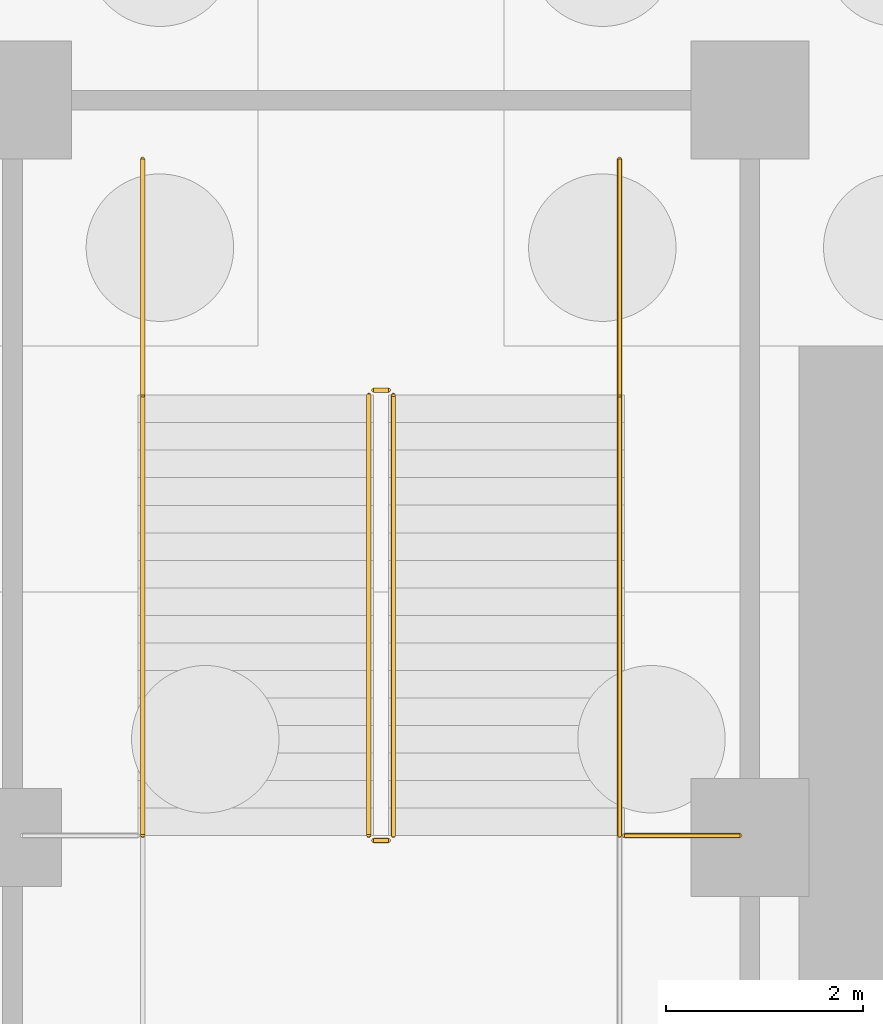
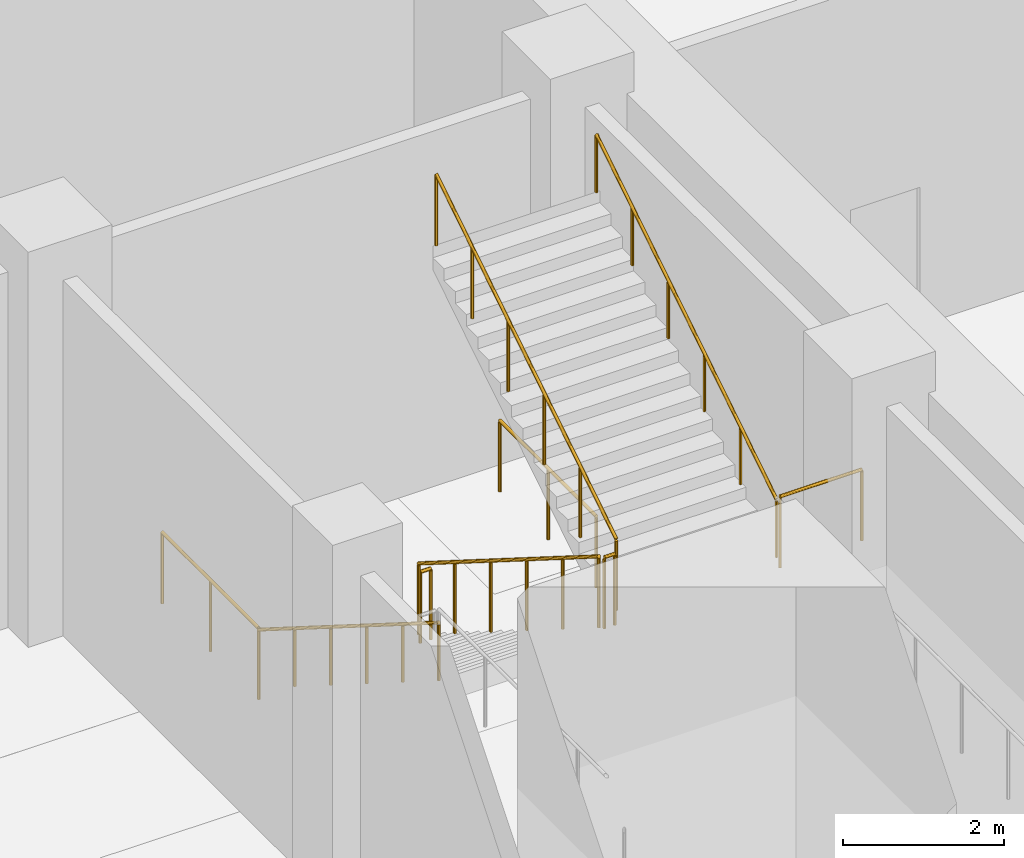
# One storey, part 35 of 39: 9 railings.
"""IFC4 building model written with IfcOpenShell, lengths in metres."""

from ifc_helpers import new_model, si_unit, direction, frame, origin, origin_2d, place, context, subcontext, project, spatial, circle, extrude, material, type_object, element, save


model = new_model("IFC4")

# Units and contexts
model_context = context("Model", 3, precision=1e-05, world=origin(), true_north=direction((0.0, 1.0)))
body_context = subcontext(model_context, "Body", "Model", "MODEL_VIEW")
ifc_project = project(units=[si_unit("LENGTHUNIT", "METRE"), si_unit("AREAUNIT", "SQUARE_METRE"), si_unit("VOLUMEUNIT", "CUBIC_METRE"), si_unit("PLANEANGLEUNIT", "RADIAN"), si_unit("MASSUNIT", "GRAM", prefix="KILO")], contexts=[model_context])

# Site, building, storey
site_placement = place(None, origin())
site = spatial("IfcSite", under=ifc_project, at=site_placement, CompositionType="ELEMENT")
building_placement = place(site_placement, origin())
building = spatial("IfcBuilding", under=site, at=building_placement, Name="Tamorin Gate", CompositionType="ELEMENT")
storey_placement = place(building_placement, frame((0.0, 0.0, -12.0)))
storey = spatial("IfcBuildingStorey", under=building, at=storey_placement, Name="B2", CompositionType="ELEMENT", Elevation=-12.0)

# Railings
ifc_material = material(Name="Steel", Category="steel")
railing_type_1 = type_object("IfcRailingType", Name="Podium guard 1100", PredefinedType="GUARDRAIL", material=ifc_material)
railing_1_placement = place(storey_placement, frame((85.625, 109.0, 0.176513671875)))
element("IfcRailing", 1, at=railing_1_placement, inside=storey, type_object=railing_type_1, Name="B2 SB5 stair guard 1", PredefinedType="GUARDRAIL", context=body_context, shape_type="SweptSolid", body=[
    extrude(circle(Radius=0.02392578125, at=origin_2d()), frame((0.0, 0.0, 1.076171875), z_axis=(0.0, -0.845997938375, 0.533186166611), x_axis=(1.0, 0.0, 0.0)), (0.0, 0.0, 1.0), 5.29541015625),
    extrude(circle(Radius=0.02099609375, at=origin_2d()), origin(), (0.0, 0.0, 1.0), 1.052001953125),
    extrude(circle(Radius=0.02099609375, at=origin_2d()), frame((0.0, -0.89599609375, 0.564697265625)), (0.0, 0.0, 1.0), 1.052001953125),
    extrude(circle(Radius=0.02099609375, at=origin_2d()), frame((0.0, -1.7919921875, 1.12939453125)), (0.0, 0.0, 1.0), 1.052001953125),
    extrude(circle(Radius=0.02099609375, at=origin_2d()), frame((0.0, -2.68798828125, 1.694091796875)), (0.0, 0.0, 1.0), 1.052001953125),
    extrude(circle(Radius=0.02099609375, at=origin_2d()), frame((0.0, -3.583984375, 2.2587890625)), (0.0, 0.0, 1.0), 1.052001953125),
    extrude(circle(Radius=0.02099609375, at=origin_2d()), frame((0.0, -4.47998046875, 2.823486328125)), (0.0, 0.0, 1.0), 1.052001953125),
])
railing_2_placement = place(storey_placement, frame((85.675048828125, 104.469970703125, 3.0)))
element("IfcRailing", 2, at=railing_2_placement, inside=storey, type_object=railing_type_1, Name="B2 SB5 stair guard 2", PredefinedType="GUARDRAIL", context=body_context, shape_type="SweptSolid", body=[
    extrude(circle(Radius=0.02392578125, at=origin_2d()), frame((0.0, 0.0, 1.076171875), z_axis=(1.0, 0.0, 0.0), x_axis=(0.0, 1.0, 0.0)), (0.0, 0.0, 1.0), 0.14990234375),
    extrude(circle(Radius=0.02099609375, at=origin_2d()), origin(), (0.0, 0.0, 1.0), 1.052001953125),
    extrude(circle(Radius=0.02099609375, at=origin_2d()), frame((0.14990234375, 0.0, 0.0)), (0.0, 0.0, 1.0), 1.052001953125),
])
railing_3_placement = place(storey_placement, frame((85.875, 104.52001953125, 3.176513671875)))
element("IfcRailing", 3, at=railing_3_placement, inside=storey, type_object=railing_type_1, Name="B2 SB5 stair guard 6", PredefinedType="GUARDRAIL", context=body_context, shape_type="SweptSolid", body=[
    extrude(circle(Radius=0.02392578125, at=origin_2d()), frame((0.0, 0.0, 1.076171875), z_axis=(0.0, 0.845997938375, 0.533186166611), x_axis=(-1.0, 0.0, 0.0)), (0.0, 0.0, 1.0), 5.29541015625),
    extrude(circle(Radius=0.02099609375, at=origin_2d()), origin(), (0.0, 0.0, 1.0), 1.052001953125),
    extrude(circle(Radius=0.02099609375, at=origin_2d()), frame((0.0, 0.89599609375, 0.564697265625)), (0.0, 0.0, 1.0), 1.052001953125),
    extrude(circle(Radius=0.02099609375, at=origin_2d()), frame((0.0, 1.7919921875, 1.12939453125)), (0.0, 0.0, 1.0), 1.052001953125),
    extrude(circle(Radius=0.02099609375, at=origin_2d()), frame((0.0, 2.68798828125, 1.694091796875)), (0.0, 0.0, 1.0), 1.052001953125),
    extrude(circle(Radius=0.02099609375, at=origin_2d()), frame((0.0, 3.583984375, 2.2587890625)), (0.0, 0.0, 1.0), 1.052001953125),
    extrude(circle(Radius=0.02099609375, at=origin_2d()), frame((0.0, 4.47998046875, 2.823486328125)), (0.0, 0.0, 1.0), 1.052001953125),
])
railing_4_placement = place(storey_placement, frame((85.675048828125, 109.050048828125, 0.0)))
element("IfcRailing", 4, at=railing_4_placement, inside=storey, type_object=railing_type_1, Name="B2 SB5 stair guard 7", PredefinedType="GUARDRAIL", context=body_context, shape_type="SweptSolid", body=[
    extrude(circle(Radius=0.02392578125, at=origin_2d()), frame((0.0, 0.0, 1.076171875), z_axis=(1.0, 0.0, 0.0), x_axis=(0.0, 1.0, 0.0)), (0.0, 0.0, 1.0), 0.14990234375),
    extrude(circle(Radius=0.02099609375, at=origin_2d()), origin(), (0.0, 0.0, 1.0), 1.052001953125),
    extrude(circle(Radius=0.02099609375, at=origin_2d()), frame((0.14990234375, 0.0, 0.0)), (0.0, 0.0, 1.0), 1.052001953125),
])
for number, where, name in (
    (5, (83.324951171875, 111.39990234375, 0.0), "B2 SB5 stair guard 8"),
    (6, (88.175048828125, 111.39990234375, 0.0), "B2 SB5 stair guard 9"),
):
    element("IfcRailing", number, at=place(storey_placement, frame(where)), inside=storey, type_object=railing_type_1, Name=name, PredefinedType="GUARDRAIL", context=body_context, shape_type="SweptSolid", body=[
        extrude(circle(Radius=0.02392578125, at=origin_2d()), frame((0.0, 0.0, 1.076171875), z_axis=(0.0, -1.0, 0.0), x_axis=(1.0, 0.0, 0.0)), (0.0, 0.0, 1.0), 2.39990234375),
        extrude(circle(Radius=0.02099609375, at=origin_2d()), origin(), (0.0, 0.0, 1.0), 1.052001953125),
        extrude(circle(Radius=0.02099609375, at=origin_2d()), frame((0.0, -1.199951171875, 0.0)), (0.0, 0.0, 1.0), 1.052001953125),
        extrude(circle(Radius=0.02099609375, at=origin_2d()), frame((0.0, -2.39990234375, 0.0)), (0.0, 0.0, 1.0), 1.052001953125),
    ])
railing_5_placement = place(storey_placement, frame((88.22509765625, 104.52001953125, 3.0)))
element("IfcRailing", 7, at=railing_5_placement, inside=storey, type_object=railing_type_1, Name="Landing edge guard", PredefinedType="GUARDRAIL", context=body_context, shape_type="SweptSolid", body=[
    extrude(circle(Radius=0.02392578125, at=origin_2d()), frame((0.0, 0.0, 1.076171875), z_axis=(1.0, 0.0, 0.0), x_axis=(0.0, 1.0, 0.0)), (0.0, 0.0, 1.0), 1.1748046875),
    extrude(circle(Radius=0.02099609375, at=origin_2d()), origin(), (0.0, 0.0, 1.0), 1.052001953125),
    extrude(circle(Radius=0.02099609375, at=origin_2d()), frame((1.1748046875, 0.0, 0.0)), (0.0, 0.0, 1.0), 1.052001953125),
])
railing_type_2 = type_object("IfcRailingType", Name="Podium stair handrail 900", PredefinedType="HANDRAIL", material=ifc_material)
railing_6_placement = place(storey_placement, frame((83.324951171875, 109.0, 0.176513671875)))
element("IfcRailing", 8, at=railing_6_placement, inside=storey, type_object=railing_type_2, Name="B2 SB5 stair handrail 1", PredefinedType="HANDRAIL", context=body_context, shape_type="SweptSolid", body=[
    extrude(circle(Radius=0.02392578125, at=origin_2d()), frame((0.0, 0.0, 0.8759765625), z_axis=(0.0, -0.845997938375, 0.533186166611), x_axis=(1.0, 0.0, 0.0)), (0.0, 0.0, 1.0), 5.29541015625),
    extrude(circle(Radius=0.02099609375, at=origin_2d()), origin(), (0.0, 0.0, 1.0), 0.851806640625),
    extrude(circle(Radius=0.02099609375, at=origin_2d()), frame((0.0, -0.89599609375, 0.564697265625)), (0.0, 0.0, 1.0), 0.851806640625),
    extrude(circle(Radius=0.02099609375, at=origin_2d()), frame((0.0, -1.7919921875, 1.12939453125)), (0.0, 0.0, 1.0), 0.851806640625),
    extrude(circle(Radius=0.02099609375, at=origin_2d()), frame((0.0, -2.68798828125, 1.694091796875)), (0.0, 0.0, 1.0), 0.851806640625),
    extrude(circle(Radius=0.02099609375, at=origin_2d()), frame((0.0, -3.583984375, 2.2587890625)), (0.0, 0.0, 1.0), 0.851806640625),
    extrude(circle(Radius=0.02099609375, at=origin_2d()), frame((0.0, -4.47998046875, 2.823486328125)), (0.0, 0.0, 1.0), 0.851806640625),
])
railing_7_placement = place(storey_placement, frame((88.175048828125, 104.52001953125, 3.176513671875)))
element("IfcRailing", 9, at=railing_7_placement, inside=storey, type_object=railing_type_2, Name="B2 SB5 stair handrail 2", PredefinedType="HANDRAIL", context=body_context, shape_type="SweptSolid", body=[
    extrude(circle(Radius=0.02392578125, at=origin_2d()), frame((0.0, 0.0, 0.8759765625), z_axis=(0.0, 0.845997938375, 0.533186166611), x_axis=(-1.0, 0.0, 0.0)), (0.0, 0.0, 1.0), 5.29541015625),
    extrude(circle(Radius=0.02099609375, at=origin_2d()), origin(), (0.0, 0.0, 1.0), 0.851806640625),
    extrude(circle(Radius=0.02099609375, at=origin_2d()), frame((0.0, 0.89599609375, 0.564697265625)), (0.0, 0.0, 1.0), 0.851806640625),
    extrude(circle(Radius=0.02099609375, at=origin_2d()), frame((0.0, 1.7919921875, 1.12939453125)), (0.0, 0.0, 1.0), 0.851806640625),
    extrude(circle(Radius=0.02099609375, at=origin_2d()), frame((0.0, 2.68798828125, 1.694091796875)), (0.0, 0.0, 1.0), 0.851806640625),
    extrude(circle(Radius=0.02099609375, at=origin_2d()), frame((0.0, 3.583984375, 2.2587890625)), (0.0, 0.0, 1.0), 0.851806640625),
    extrude(circle(Radius=0.02099609375, at=origin_2d()), frame((0.0, 4.47998046875, 2.823486328125)), (0.0, 0.0, 1.0), 0.851806640625),
])

save(model, "model.ifc")
